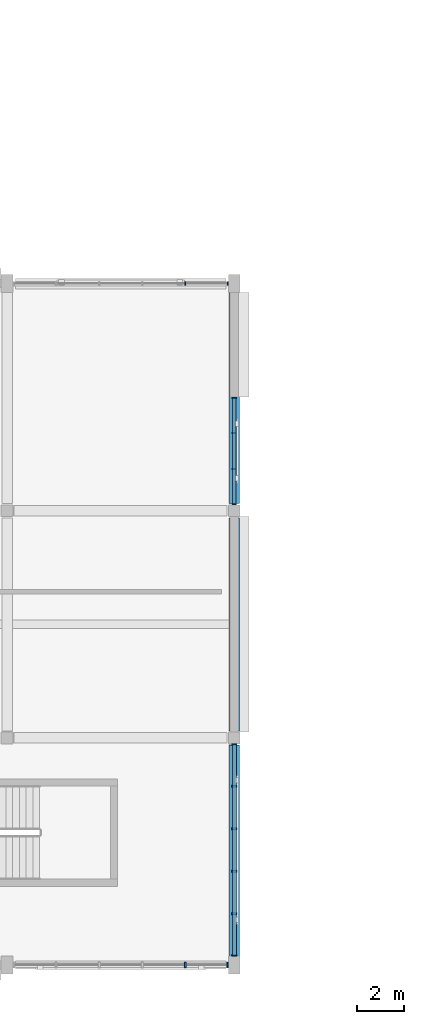
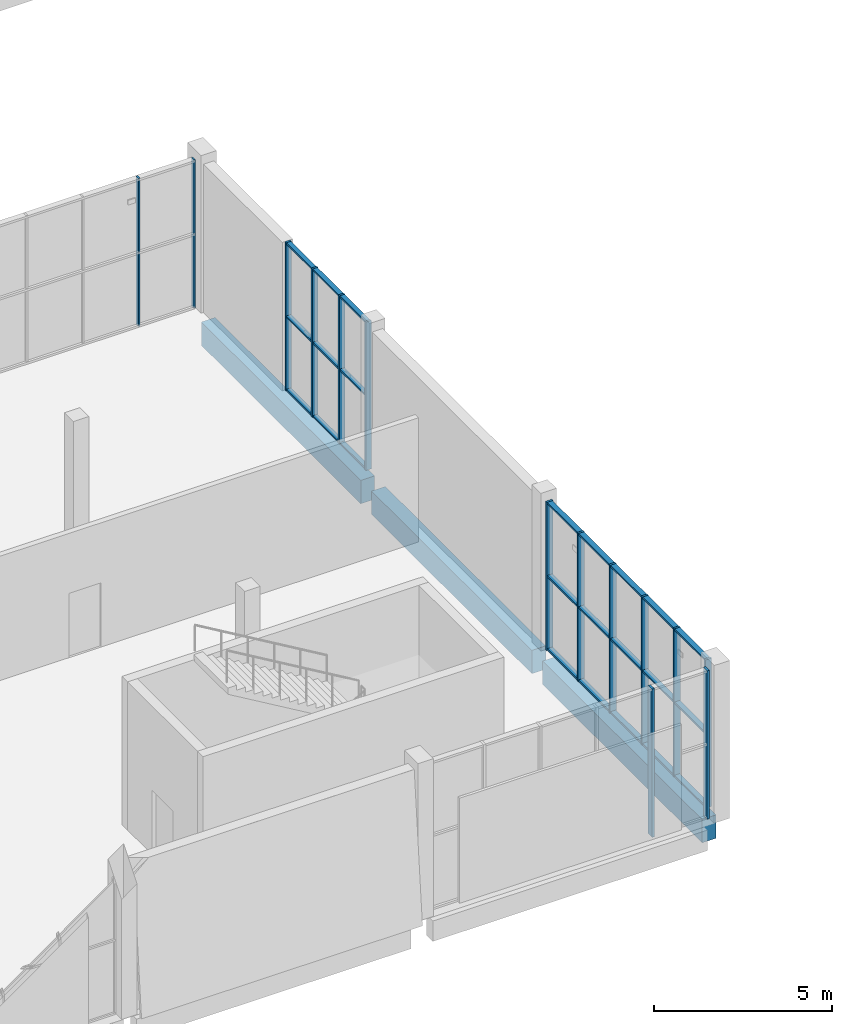
# One storey, part 14 of 83: 20 members, 3 beams, 4 elements without a shape of their own.
"""IFC4 building model written with IfcOpenShell, lengths in metres."""

import ifcopenshell
import ifcopenshell.guid

model = None  # the IFC model being written
_history = None  # IfcOwnerHistory: only IFC2X3 demands one
_inside = {}  # id of a spatial element -> (the spatial element, [elements in it])
_under = {}  # id of a project, library or spatial element -> (it, [spatial elements below it])
_declared = {}  # id of a project -> (the project, [libraries it declares])
_typed = {}  # id of a type object -> (the type object, [elements of that type])
_made_of = {}  # id of a material, layer set ... -> (it, [elements and type objects made of it])


def new_model(schema):
    """Start an empty IFC model of exactly this schema.

    Asked for "IFC4X3", IfcOpenShell would pick the latest addendum, in which some entities
    have other attributes; the version numbers below select the first issue.
    IFC2X3 requires an IfcOwnerHistory on every rooted entity: one is made here for all.
    """
    global model, _history
    if schema == "IFC4X3":
        model = ifcopenshell.file(schema_version=(4, 3, 0, 0))
    else:
        model = ifcopenshell.file(schema=schema)
    _inside.clear()
    _under.clear()
    _declared.clear()
    _typed.clear()
    _made_of.clear()
    _history = None
    if model.schema == "IFC2X3":
        org = make("IfcOrganization", Name="unknown")
        user = make(
            "IfcPersonAndOrganization",
            ThePerson=make("IfcPerson", FamilyName="unknown"),
            TheOrganization=org,
        )
        app = make(
            "IfcApplication",
            ApplicationDeveloper=org,
            Version="unknown",
            ApplicationFullName="unknown",
            ApplicationIdentifier="unknown",
        )
        _history = make(
            "IfcOwnerHistory",
            OwningUser=user,
            OwningApplication=app,
            ChangeAction="ADDED",
            CreationDate=0,
        )
    return model


def make(cls, **values):
    """One entity of the class cls with the attributes given. An attribute that is None is left unset."""
    return model.create_entity(
        cls, **{name: value for name, value in values.items() if value is not None}
    )


def rooted(cls, **values):
    """An entity with a GlobalId (a new one), such as an element, a storey or a relation."""
    return make(cls, GlobalId=ifcopenshell.guid.new(), OwnerHistory=_history, **values)


def si_unit(unit_type, name, prefix=None):
    """IfcSIUnit, for example si_unit("LENGTHUNIT", "METRE", prefix="MILLI")."""
    return make("IfcSIUnit", UnitType=unit_type, Prefix=prefix, Name=name)


def assignment(units):
    """IfcUnitAssignment: the units of a project."""
    return None if units is None else make("IfcUnitAssignment", Units=units)


def point(xyz):
    """IfcCartesianPoint."""
    return None if xyz is None else make("IfcCartesianPoint", Coordinates=xyz)


def direction(xyz):
    """IfcDirection."""
    return None if xyz is None else make("IfcDirection", DirectionRatios=xyz)


def frame(location, z_axis=None, x_axis=None):
    """IfcAxis2Placement3D, a coordinate frame: its origin and axes. An axis left out is left unset."""
    return make(
        "IfcAxis2Placement3D",
        Location=point(location),
        Axis=direction(z_axis),
        RefDirection=direction(x_axis),
    )


def frame_2d(location, x_axis=None):
    """IfcAxis2Placement2D, a coordinate frame in the plane: its origin and x axis."""
    return make(
        "IfcAxis2Placement2D", Location=point(location), RefDirection=direction(x_axis)
    )


def origin():
    """The frame at (0, 0, 0) with its axes left unset."""
    return frame((0.0, 0.0, 0.0))


def origin_2d():
    """The frame at (0, 0) in the plane with its x axis left unset."""
    return frame_2d((0.0, 0.0))


def place(relative_to, where):
    """IfcLocalPlacement: puts the frame where relative to a parent placement (None: the world)."""
    return make(
        "IfcLocalPlacement", PlacementRelTo=relative_to, RelativePlacement=where
    )


def context(
    kind, dimensions, precision=None, world=None, true_north=None, identifier=None
):
    """IfcGeometricRepresentationContext, for example the 3D "Model" context."""
    return make(
        "IfcGeometricRepresentationContext",
        ContextIdentifier=identifier,
        ContextType=kind,
        CoordinateSpaceDimension=dimensions,
        Precision=precision,
        WorldCoordinateSystem=world,
        TrueNorth=true_north,
    )


def subcontext(parent, identifier, kind, view, scale=None):
    """IfcGeometricRepresentationSubContext, for example "Body" below "Model"."""
    return make(
        "IfcGeometricRepresentationSubContext",
        ContextIdentifier=identifier,
        ContextType=kind,
        ParentContext=parent,
        TargetScale=scale,
        TargetView=view,
    )


def project(units=None, contexts=None):
    """IfcProject with its units and contexts."""
    return rooted(
        "IfcProject",
        Name="project",
        RepresentationContexts=contexts,
        UnitsInContext=assignment(units),
    )


def spatial(cls, under=None, at=None, **own):
    """A site, building, storey or space (cls), placed at a placement, below another one or the project."""
    s = rooted(cls, ObjectPlacement=at, **own)
    if under is not None:
        _under.setdefault(under.id(), (under, []))[1].append(s)
    return s


def profile(cls, at=None, kind="AREA", **sizes):
    """A parametric profile (cls). Its sizes go by their IFC names, for example OverallWidth=200.0."""
    return make(cls, ProfileType=kind, Position=at, **sizes)


def rectangle(**sizes):
    """IfcRectangleProfileDef."""
    return profile("IfcRectangleProfileDef", **sizes)


def extrude(swept, where, along, depth):
    """IfcExtrudedAreaSolid: the profile swept, set in the frame where, extruded along a direction by depth."""
    return make(
        "IfcExtrudedAreaSolid",
        SweptArea=swept,
        Position=where,
        ExtrudedDirection=direction(along),
        Depth=depth,
    )


def shape(context_of_items, identifier, shape_type, items):
    """IfcShapeRepresentation: the items that make up one representation, for example the "Body"."""
    return make(
        "IfcShapeRepresentation",
        ContextOfItems=context_of_items,
        RepresentationIdentifier=identifier,
        RepresentationType=shape_type,
        Items=items,
    )


def material(Name=None, Category=None):
    """IfcMaterial."""
    return make("IfcMaterial", Name=Name, Category=Category)


def material_profile(
    of_material, cross_section, Name=None, Category=None, Priority=None
):
    """IfcMaterialProfile: a cross section and its material."""
    return make(
        "IfcMaterialProfile",
        Name=Name,
        Material=of_material,
        Profile=cross_section,
        Priority=Priority,
        Category=Category,
    )


def profile_set(profiles, Name=None, composite=None):
    """IfcMaterialProfileSet."""
    return make(
        "IfcMaterialProfileSet",
        Name=Name,
        MaterialProfiles=profiles,
        CompositeProfile=composite,
    )


def made_of(thing, what):
    """Note that an element or type object is made of a material, layer set ...; save() writes the relation."""
    if what is not None:
        _made_of.setdefault(what.id(), (what, []))[1].append(thing)
    return thing


def type_object(cls, material=None, **own):
    """A type object (cls), such as IfcWallType, which elements share."""
    return made_of(rooted(cls, **own), material)


def element(
    cls,
    number,
    at=None,
    inside=None,
    cuts=None,
    type_object=None,
    material=None,
    context=None,
    identifier="Body",
    shape_type=None,
    held_by="IfcProductDefinitionShape",
    body=None,
    shapes=None,
    **own,
):
    """One element of the class cls, such as IfcWall. Its Tag is "e" and its number.

    at: its placement. inside: the storey or other place that contains it. cuts: it is an
    opening in that element (IfcRelVoidsElement). A single representation is given by context,
    identifier, shape_type and body (its items); several are given by shapes. held_by: the class
    of the entity that holds the representations. save() writes the other relations.
    """
    e = rooted(cls, Tag="e%d" % number, ObjectPlacement=at, **own)
    if body is not None:
        shapes = [shape(context, identifier, shape_type, body)]
    if shapes is not None:
        e.Representation = make(held_by, Representations=shapes)
    if inside is not None:
        _inside.setdefault(inside.id(), (inside, []))[1].append(e)
    if cuts is not None:
        rooted(
            "IfcRelVoidsElement", RelatingBuildingElement=cuts, RelatedOpeningElement=e
        )
    if type_object is not None:
        _typed.setdefault(type_object.id(), (type_object, []))[1].append(e)
    return made_of(e, material)


def aggregate(whole, parts):
    """IfcRelAggregates: a whole, such as a stair, and the parts it consists of."""
    return rooted("IfcRelAggregates", RelatingObject=whole, RelatedObjects=parts)


def save(model, path):
    """Write the relations noted so far, then the file.

    IfcRelAggregates (storeys below a building ...), IfcRelContainedInSpatialStructure (elements
    in a storey), IfcRelDefinesByType, IfcRelAssociatesMaterial and IfcRelDeclares: one each for
    every whole, place, type object, material and project.
    """
    for whole, parts in _under.values():
        aggregate(whole, parts)
    for where, things in _inside.values():
        rooted(
            "IfcRelContainedInSpatialStructure",
            RelatedElements=things,
            RelatingStructure=where,
        )
    for kind, things in _typed.values():
        rooted("IfcRelDefinesByType", RelatedObjects=things, RelatingType=kind)
    for what, things in _made_of.values():
        rooted("IfcRelAssociatesMaterial", RelatedObjects=things, RelatingMaterial=what)
    for by, libraries in _declared.values():
        rooted("IfcRelDeclares", RelatingContext=by, RelatedDefinitions=libraries)
    model.write(path)


model = new_model("IFC4")

# Units and contexts
model_context = context("Model", 3, precision=1e-05, world=origin(), true_north=direction((0.0, 1.0)))
body_context = subcontext(model_context, "Body", "Model", "MODEL_VIEW")
ifc_project = project(units=[si_unit("LENGTHUNIT", "METRE"), si_unit("AREAUNIT", "SQUARE_METRE"), si_unit("VOLUMEUNIT", "CUBIC_METRE"), si_unit("PLANEANGLEUNIT", "RADIAN"), si_unit("MASSUNIT", "GRAM", prefix="KILO")], contexts=[model_context])

# Site, building, storey
site_placement = place(None, origin())
site = spatial("IfcSite", under=ifc_project, at=site_placement, CompositionType="ELEMENT")
building_placement = place(site_placement, origin())
building = spatial("IfcBuilding", under=site, at=building_placement, Name="Shalvenor Court Art Gallery", CompositionType="ELEMENT")
storey_placement = place(building_placement, frame((0.0, 0.0, 6.0)))
storey = spatial("IfcBuildingStorey", under=building, at=storey_placement, Name="L01", CompositionType="ELEMENT", Elevation=6.0)

# Beams
ifc_material_1 = material(Name="Concrete C40/50", Category="concrete")
ifc_material_profile_1 = material_profile(ifc_material_1, rectangle(XDim=0.449951171875, YDim=0.800048828125, at=origin_2d()), Name="RC 450x800")
ifc_profile_set_1 = profile_set([ifc_material_profile_1], Name="Concrete C40/50")
beam_type = type_object("IfcBeamType", Name="B-03", PredefinedType="BEAM", material=ifc_profile_set_1)
beam_1_placement = place(storey_placement, frame((67.199951171875, 0.35009765625, -0.719970703125), z_axis=(0.0, 1.0, 0.0), x_axis=(-1.0, 0.0, 0.0)))
element("IfcBeam", 1, at=beam_1_placement, inside=storey, type_object=beam_type, Name="L01 Girder BM-L01-B-03-0407", PredefinedType="BEAM", context=body_context, shape_type="SweptSolid", body=[
    extrude(rectangle(XDim=0.449951171875, YDim=0.800048828125, at=origin_2d()), origin(), (0.0, 0.0, 1.0), 8.949951171875),
])
beam_2_placement = place(storey_placement, frame((67.199951171875, 9.89990234375, -0.719970703125), z_axis=(0.0, 1.0, 0.0), x_axis=(-1.0, 0.0, 0.0)))
element("IfcBeam", 2, at=beam_2_placement, inside=storey, type_object=beam_type, Name="L01 Girder BM-L01-B-03-0408", PredefinedType="BEAM", context=body_context, shape_type="SweptSolid", body=[
    extrude(rectangle(XDim=0.449951171875, YDim=0.800048828125, at=origin_2d()), origin(), (0.0, 0.0, 1.0), 9.0),
])
beam_3_placement = place(storey_placement, frame((67.199951171875, 19.5, -0.719970703125), z_axis=(0.0, 1.0, 0.0), x_axis=(-1.0, 0.0, 0.0)))
element("IfcBeam", 3, at=beam_3_placement, inside=storey, type_object=beam_type, Name="L01 Girder BM-L01-B-03-0409", PredefinedType="BEAM", context=body_context, shape_type="SweptSolid", body=[
    extrude(rectangle(XDim=0.449951171875, YDim=0.800048828125, at=origin_2d()), origin(), (0.0, 0.0, 1.0), 8.949951171875),
])

# Curtain wall, members
ifc_material_2 = material(Name="Anodised aluminium and low-iron glass curtain wall", Category="aluminium")
curtain_wall_type_1 = type_object("IfcCurtainWallType", Name="CW-3x2-46-51-111", PredefinedType="USERDEFINED", material=ifc_material_2)
curtain_wall_1_placement = place(storey_placement, origin())
curtain_wall_1 = element("IfcCurtainWall", 4, at=curtain_wall_1_placement, inside=storey, type_object=curtain_wall_type_1, Name="L01 V4 Curtain Wall CW-L01-132", ObjectType="CURTAIN WALL", PredefinedType="USERDEFINED")
ifc_material_3 = material(Name="Anodised aluminium mullion", Category="aluminium")
ifc_material_profile_2 = material_profile(ifc_material_3, rectangle(XDim=0.06494140625, YDim=0.179931640625, at=origin_2d()), Name="CWM-01")
ifc_profile_set_2 = profile_set([ifc_material_profile_2], Name="Anodised aluminium mullion")
member_type_1 = type_object("IfcMemberType", Name="CWM-01", PredefinedType="MULLION", material=ifc_profile_set_2)
member_1_placement = place(storey_placement, frame((67.199951171875, 23.967529296875, 0.0), z_axis=(0.0, 0.0, 1.0), x_axis=(0.0, -1.0, 0.0)))
member_1 = element("IfcMember", 5, at=member_1_placement, type_object=member_type_1, Name="CW-3x2-46-51-111 mullion 1", PredefinedType="MULLION", context=body_context, shape_type="SweptSolid", body=[
    extrude(rectangle(XDim=0.06494140625, YDim=0.179931640625, at=origin_2d()), origin(), (0.0, 0.0, 1.0), 5.080078125),
])
member_2_placement = place(storey_placement, frame((67.199951171875, 22.4833984375, 0.0), z_axis=(0.0, 0.0, 1.0), x_axis=(0.0, -1.0, 0.0)))
member_2 = element("IfcMember", 6, at=member_2_placement, type_object=member_type_1, Name="CW-3x2-46-51-111 mullion 2", PredefinedType="MULLION", context=body_context, shape_type="SweptSolid", body=[
    extrude(rectangle(XDim=0.06494140625, YDim=0.179931640625, at=origin_2d()), origin(), (0.0, 0.0, 1.0), 5.080078125),
])
member_3_placement = place(storey_placement, frame((67.199951171875, 20.966552734375, 0.0), z_axis=(0.0, 0.0, 1.0), x_axis=(0.0, -1.0, 0.0)))
member_3 = element("IfcMember", 7, at=member_3_placement, type_object=member_type_1, Name="CW-3x2-46-51-111 mullion 3", PredefinedType="MULLION", context=body_context, shape_type="SweptSolid", body=[
    extrude(rectangle(XDim=0.06494140625, YDim=0.179931640625, at=origin_2d()), origin(), (0.0, 0.0, 1.0), 5.080078125),
])
member_4_placement = place(storey_placement, frame((67.199951171875, 19.482421875, 0.0), z_axis=(0.0, 0.0, 1.0), x_axis=(0.0, -1.0, 0.0)))
member_4 = element("IfcMember", 8, at=member_4_placement, type_object=member_type_1, Name="CW-3x2-46-51-111 mullion 4", PredefinedType="MULLION", context=body_context, shape_type="SweptSolid", body=[
    extrude(rectangle(XDim=0.06494140625, YDim=0.179931640625, at=origin_2d()), origin(), (0.0, 0.0, 1.0), 5.080078125),
])

ifc_material_4 = material(Name="Anodised aluminium and low-iron glass curtain wall", Category="aluminium")
curtain_wall_type_2 = type_object("IfcCurtainWallType", Name="CW-5x2-90-51-221", PredefinedType="USERDEFINED", material=ifc_material_4)
curtain_wall_2_placement = place(storey_placement, origin())
curtain_wall_2 = element("IfcCurtainWall", 9, at=curtain_wall_2_placement, inside=storey, type_object=curtain_wall_type_2, Name="L01 V4 Curtain Wall CW-L01-133", ObjectType="CURTAIN WALL", PredefinedType="USERDEFINED")
ifc_material_5 = material(Name="Anodised aluminium mullion", Category="aluminium")
ifc_material_profile_3 = material_profile(ifc_material_5, rectangle(XDim=0.070068359375, YDim=0.199951171875, at=origin_2d()), Name="CWM-02")
ifc_profile_set_3 = profile_set([ifc_material_profile_3], Name="Anodised aluminium mullion")
member_type_2 = type_object("IfcMemberType", Name="CWM-02", PredefinedType="MULLION", material=ifc_profile_set_3)
member_5_placement = place(storey_placement, frame((67.199951171875, 9.31494140625, 0.0), z_axis=(0.0, 0.0, 1.0), x_axis=(0.0, -1.0, 0.0)))
member_5 = element("IfcMember", 10, at=member_5_placement, type_object=member_type_2, Name="CW-5x2-90-51-221 mullion 1", PredefinedType="MULLION", context=body_context, shape_type="SweptSolid", body=[
    extrude(rectangle(XDim=0.070068359375, YDim=0.199951171875, at=origin_2d()), origin(), (0.0, 0.0, 1.0), 5.080078125),
])
member_6_placement = place(storey_placement, frame((67.199951171875, 7.554931640625, 0.0), z_axis=(0.0, 0.0, 1.0), x_axis=(0.0, -1.0, 0.0)))
member_6 = element("IfcMember", 11, at=member_6_placement, type_object=member_type_2, Name="CW-5x2-90-51-221 mullion 2", PredefinedType="MULLION", context=body_context, shape_type="SweptSolid", body=[
    extrude(rectangle(XDim=0.070068359375, YDim=0.199951171875, at=origin_2d()), origin(), (0.0, 0.0, 1.0), 5.080078125),
])
member_7_placement = place(storey_placement, frame((67.199951171875, 5.760009765625, 0.0), z_axis=(0.0, 0.0, 1.0), x_axis=(0.0, -1.0, 0.0)))
member_7 = element("IfcMember", 12, at=member_7_placement, type_object=member_type_2, Name="CW-5x2-90-51-221 mullion 3", PredefinedType="MULLION", context=body_context, shape_type="SweptSolid", body=[
    extrude(rectangle(XDim=0.070068359375, YDim=0.199951171875, at=origin_2d()), origin(), (0.0, 0.0, 1.0), 5.080078125),
])
member_8_placement = place(storey_placement, frame((67.199951171875, 3.965087890625, 0.0), z_axis=(0.0, 0.0, 1.0), x_axis=(0.0, -1.0, 0.0)))
member_8 = element("IfcMember", 13, at=member_8_placement, type_object=member_type_2, Name="CW-5x2-90-51-221 mullion 4", PredefinedType="MULLION", context=body_context, shape_type="SweptSolid", body=[
    extrude(rectangle(XDim=0.070068359375, YDim=0.199951171875, at=origin_2d()), origin(), (0.0, 0.0, 1.0), 5.080078125),
])
member_9_placement = place(storey_placement, frame((67.199951171875, 2.169921875, 0.0), z_axis=(0.0, 0.0, 1.0), x_axis=(0.0, -1.0, 0.0)))
member_9 = element("IfcMember", 14, at=member_9_placement, type_object=member_type_2, Name="CW-5x2-90-51-221 mullion 5", PredefinedType="MULLION", context=body_context, shape_type="SweptSolid", body=[
    extrude(rectangle(XDim=0.070068359375, YDim=0.199951171875, at=origin_2d()), origin(), (0.0, 0.0, 1.0), 5.080078125),
])
member_10_placement = place(storey_placement, frame((67.199951171875, 0.409912109375, 0.0), z_axis=(0.0, 0.0, 1.0), x_axis=(0.0, -1.0, 0.0)))
member_10 = element("IfcMember", 15, at=member_10_placement, type_object=member_type_2, Name="CW-5x2-90-51-221 mullion 6", PredefinedType="MULLION", context=body_context, shape_type="SweptSolid", body=[
    extrude(rectangle(XDim=0.070068359375, YDim=0.199951171875, at=origin_2d()), origin(), (0.0, 0.0, 1.0), 5.080078125),
])

ifc_material_6 = material(Name="Anodised aluminium and low-iron glass curtain wall", Category="aluminium")
curtain_wall_type_3 = type_object("IfcCurtainWallType", Name="CW-5x2-91-51-441", PredefinedType="USERDEFINED", material=ifc_material_6)
curtain_wall_3_placement = place(storey_placement, origin())
curtain_wall_3 = element("IfcCurtainWall", 16, at=curtain_wall_3_placement, inside=storey, type_object=curtain_wall_type_3, Name="L01 V4 Curtain Wall CW-L01-134", ObjectType="CURTAIN WALL", PredefinedType="USERDEFINED")
ifc_material_7 = material(Name="Anodised aluminium mullion", Category="aluminium")
ifc_material_profile_4 = material_profile(ifc_material_7, rectangle(XDim=0.074951171875, YDim=0.219970703125, at=origin_2d()), Name="CWM-04")
ifc_profile_set_4 = profile_set([ifc_material_profile_4], Name="Anodised aluminium mullion")
member_type_3 = type_object("IfcMemberType", Name="CWM-04", PredefinedType="MULLION", material=ifc_profile_set_4)
member_11_placement = place(storey_placement, frame((66.91259765625, 0.0, 0.0), z_axis=(0.0, 0.0, 1.0), x_axis=(-1.0, 0.0, 0.0)))
member_11 = element("IfcMember", 17, at=member_11_placement, type_object=member_type_3, Name="CW-5x2-91-51-441 mullion 1", PredefinedType="MULLION", context=body_context, shape_type="SweptSolid", body=[
    extrude(rectangle(XDim=0.074951171875, YDim=0.219970703125, at=origin_2d()), origin(), (0.0, 0.0, 1.0), 5.080078125),
])
member_12_placement = place(storey_placement, frame((65.1298828125, 0.0, 0.0), z_axis=(0.0, 0.0, 1.0), x_axis=(-1.0, 0.0, 0.0)))
member_12 = element("IfcMember", 18, at=member_12_placement, type_object=member_type_3, Name="CW-5x2-91-51-441 mullion 2", PredefinedType="MULLION", context=body_context, shape_type="SweptSolid", body=[
    extrude(rectangle(XDim=0.074951171875, YDim=0.219970703125, at=origin_2d()), origin(), (0.0, 0.0, 1.0), 5.080078125),
])
aggregate(curtain_wall_3, [member_11, member_12])

ifc_material_8 = material(Name="Anodised aluminium and low-iron glass curtain wall", Category="aluminium")
curtain_wall_type_4 = type_object("IfcCurtainWallType", Name="CW-5x2-91-51-641", PredefinedType="USERDEFINED", material=ifc_material_8)
curtain_wall_4_placement = place(storey_placement, origin())
curtain_wall_4 = element("IfcCurtainWall", 19, at=curtain_wall_4_placement, inside=storey, type_object=curtain_wall_type_4, Name="L01 V4 Curtain Wall CW-L01-131", ObjectType="CURTAIN WALL", PredefinedType="USERDEFINED")
ifc_material_9 = material(Name="Anodised aluminium mullion", Category="aluminium")
ifc_material_profile_5 = material_profile(ifc_material_9, rectangle(XDim=0.054931640625, YDim=0.139892578125, at=origin_2d()), Name="CWM-06")
ifc_profile_set_5 = profile_set([ifc_material_profile_5], Name="Anodised aluminium mullion")
member_type_4 = type_object("IfcMemberType", Name="CWM-06", PredefinedType="MULLION", material=ifc_profile_set_5)
member_13_placement = place(storey_placement, frame((65.1298828125, 28.800048828125, 0.0), z_axis=(0.0, 0.0, 1.0), x_axis=(1.0, 0.0, 0.0)))
member_13 = element("IfcMember", 20, at=member_13_placement, type_object=member_type_4, Name="CW-5x2-91-51-641 mullion 5", PredefinedType="MULLION", context=body_context, shape_type="SweptSolid", body=[
    extrude(rectangle(XDim=0.054931640625, YDim=0.139892578125, at=origin_2d()), origin(), (0.0, 0.0, 1.0), 5.080078125),
])
member_14_placement = place(storey_placement, frame((66.922607421875, 28.800048828125, 0.0), z_axis=(0.0, 0.0, 1.0), x_axis=(1.0, 0.0, 0.0)))
member_14 = element("IfcMember", 21, at=member_14_placement, type_object=member_type_4, Name="CW-5x2-91-51-641 mullion 6", PredefinedType="MULLION", context=body_context, shape_type="SweptSolid", body=[
    extrude(rectangle(XDim=0.054931640625, YDim=0.139892578125, at=origin_2d()), origin(), (0.0, 0.0, 1.0), 5.080078125),
])
aggregate(curtain_wall_4, [member_13, member_14])

# Member
ifc_material_10 = material(Name="Anodised aluminium transom", Category="aluminium")
ifc_material_profile_6 = material_profile(ifc_material_10, rectangle(XDim=0.14990234375, YDim=0.06005859375, at=origin_2d()), Name="CWT-01")
ifc_profile_set_6 = profile_set([ifc_material_profile_6], Name="Anodised aluminium transom")
member_type_5 = type_object("IfcMemberType", Name="CWT-01", PredefinedType="USERDEFINED", material=ifc_profile_set_6)
member_15_placement = place(storey_placement, frame((67.199951171875, 23.967529296875, 0.030029296875), z_axis=(0.0, -1.0, 0.0), x_axis=(1.0, 0.0, 0.0)))
member_15 = element("IfcMember", 22, at=member_15_placement, type_object=member_type_5, Name="CW-3x2-46-51-111 transom 1", ObjectType="TRANSOM", PredefinedType="USERDEFINED", context=body_context, shape_type="SweptSolid", body=[
    extrude(rectangle(XDim=0.14990234375, YDim=0.06005859375, at=origin_2d()), origin(), (0.0, 0.0, 1.0), 4.485107421875),
])

member_16_placement = place(storey_placement, frame((67.199951171875, 23.967529296875, 2.5400390625), z_axis=(0.0, -1.0, 0.0), x_axis=(1.0, 0.0, 0.0)))
member_16 = element("IfcMember", 23, at=member_16_placement, type_object=member_type_5, Name="CW-3x2-46-51-111 transom 2", ObjectType="TRANSOM", PredefinedType="USERDEFINED", context=body_context, shape_type="SweptSolid", body=[
    extrude(rectangle(XDim=0.14990234375, YDim=0.06005859375, at=origin_2d()), origin(), (0.0, 0.0, 1.0), 4.485107421875),
])

member_17_placement = place(storey_placement, frame((67.199951171875, 23.967529296875, 5.050048828125), z_axis=(0.0, -1.0, 0.0), x_axis=(1.0, 0.0, 0.0)))
member_17 = element("IfcMember", 24, at=member_17_placement, type_object=member_type_5, Name="CW-3x2-46-51-111 transom 3", ObjectType="TRANSOM", PredefinedType="USERDEFINED", context=body_context, shape_type="SweptSolid", body=[
    extrude(rectangle(XDim=0.14990234375, YDim=0.06005859375, at=origin_2d()), origin(), (0.0, 0.0, 1.0), 4.485107421875),
])

aggregate(curtain_wall_1, [member_1, member_2, member_3, member_4, member_15, member_16, member_17])

ifc_material_11 = material(Name="Anodised aluminium transom", Category="aluminium")
ifc_material_profile_7 = material_profile(ifc_material_11, rectangle(XDim=0.169921875, YDim=0.06494140625, at=origin_2d()), Name="CWT-02")
ifc_profile_set_7 = profile_set([ifc_material_profile_7], Name="Anodised aluminium transom")
member_type_6 = type_object("IfcMemberType", Name="CWT-02", PredefinedType="USERDEFINED", material=ifc_profile_set_7)
member_18_placement = place(storey_placement, frame((67.199951171875, 9.31494140625, 0.032470703125), z_axis=(0.0, -1.0, 0.0), x_axis=(1.0, 0.0, 0.0)))
member_18 = element("IfcMember", 25, at=member_18_placement, type_object=member_type_6, Name="CW-5x2-90-51-221 transom 1", ObjectType="TRANSOM", PredefinedType="USERDEFINED", context=body_context, shape_type="SweptSolid", body=[
    extrude(rectangle(XDim=0.169921875, YDim=0.06494140625, at=origin_2d()), origin(), (0.0, 0.0, 1.0), 8.905029296875),
])

member_19_placement = place(storey_placement, frame((67.199951171875, 9.31494140625, 2.5400390625), z_axis=(0.0, -1.0, 0.0), x_axis=(1.0, 0.0, 0.0)))
member_19 = element("IfcMember", 26, at=member_19_placement, type_object=member_type_6, Name="CW-5x2-90-51-221 transom 2", ObjectType="TRANSOM", PredefinedType="USERDEFINED", context=body_context, shape_type="SweptSolid", body=[
    extrude(rectangle(XDim=0.169921875, YDim=0.06494140625, at=origin_2d()), origin(), (0.0, 0.0, 1.0), 8.905029296875),
])

member_20_placement = place(storey_placement, frame((67.199951171875, 9.31494140625, 5.047607421875), z_axis=(0.0, -1.0, 0.0), x_axis=(1.0, 0.0, 0.0)))
member_20 = element("IfcMember", 27, at=member_20_placement, type_object=member_type_6, Name="CW-5x2-90-51-221 transom 3", ObjectType="TRANSOM", PredefinedType="USERDEFINED", context=body_context, shape_type="SweptSolid", body=[
    extrude(rectangle(XDim=0.169921875, YDim=0.06494140625, at=origin_2d()), origin(), (0.0, 0.0, 1.0), 8.905029296875),
])

aggregate(curtain_wall_2, [member_5, member_6, member_7, member_8, member_9, member_10, member_18, member_19, member_20])

save(model, "model.ifc")
